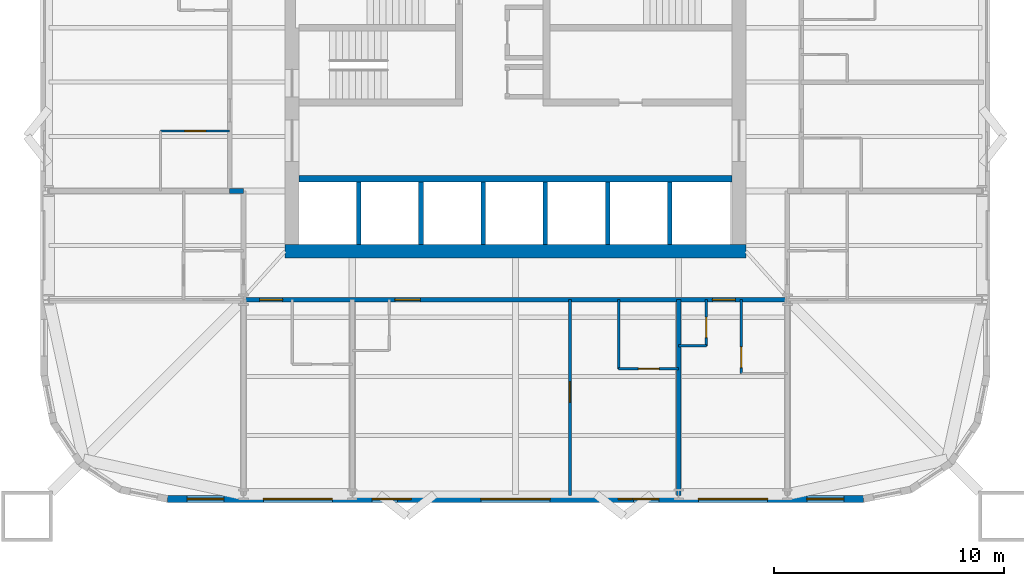
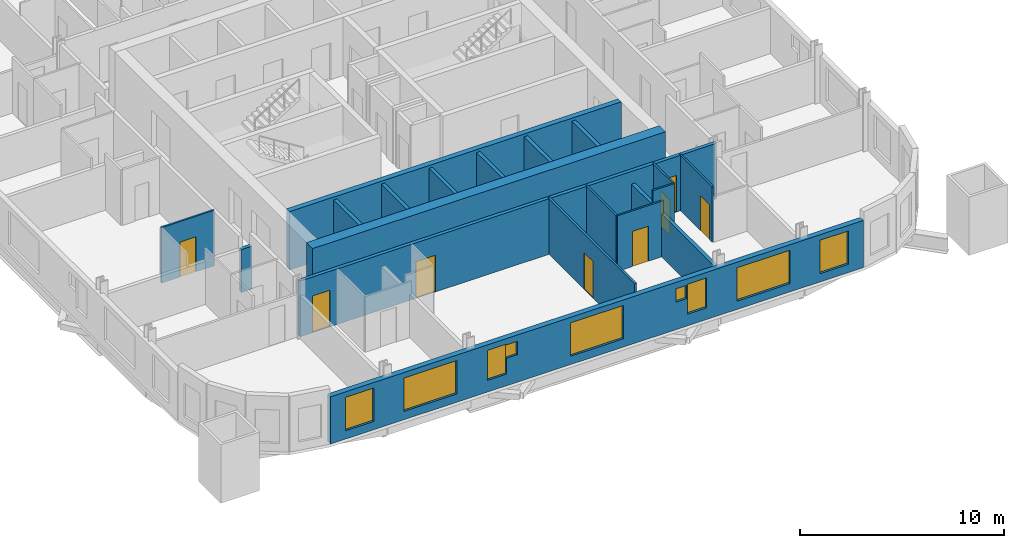
# One storey, part 3 of 9: 19 walls, 9 windows, 8 doors, 17 openings.
"""IFC4 building model written with IfcOpenShell, lengths in metres."""

from ifc_helpers import new_model, si_unit, direction, frame, frame_2d, origin, place, context, subcontext, project, spatial, rectangle, extrude, material, layer, layer_set, type_object, element, fill, save


model = new_model("IFC4")

# Units and contexts
model_context = context("Model", 3, precision=1e-05, world=origin(), true_north=direction((0.0, 1.0)))
body_context = subcontext(model_context, "Body", "Model", "MODEL_VIEW")
ifc_project = project(units=[si_unit("LENGTHUNIT", "METRE"), si_unit("AREAUNIT", "SQUARE_METRE"), si_unit("VOLUMEUNIT", "CUBIC_METRE"), si_unit("PLANEANGLEUNIT", "RADIAN"), si_unit("MASSUNIT", "GRAM", prefix="KILO")], contexts=[model_context])

# Site, building, storey
site_placement = place(None, origin())
site = spatial("IfcSite", under=ifc_project, at=site_placement, CompositionType="ELEMENT")
building_placement = place(site_placement, origin())
building = spatial("IfcBuilding", under=site, at=building_placement, Name="Turquesa Mirador Hotel Tower", CompositionType="ELEMENT")
storey_placement = place(building_placement, frame((0.0, 0.0, 117.89990234375)))
storey = spatial("IfcBuildingStorey", under=building, at=storey_placement, Name="L31", CompositionType="ELEMENT", Elevation=117.89990234375)

# Wall
ifc_material_1 = material(Name="Gypsum board on steel studs", Category="steel")
ifc_layer_1 = layer(ifc_material_1, 0.10009765625)
ifc_layer_set_1 = layer_set([ifc_layer_1], Name="BATHROOM WALL 100")
wall_type_1 = type_object("IfcWallType", Name="BATHROOM WALL 100", PredefinedType="PARTITIONING", material=ifc_layer_set_1)
wall_1_placement = place(storey_placement, frame((62.080078125, 31.199951171875, 0.0), z_axis=(0.0, 0.0, 1.0), x_axis=(1.0, 0.0, 0.0)))
element("IfcWall", 1, at=wall_1_placement, inside=storey, type_object=wall_type_1, Name="Partition L31 005", PredefinedType="PARTITIONING", context=body_context, shape_type="SweptSolid", body=[
    extrude(rectangle(XDim=1.199951171875, YDim=0.10009765625, at=frame_2d((0.60009765625, 0.0))), origin(), (0.0, 0.0, 1.0), 3.330078125),
])

# Wall, opening, door
wall_2_placement = place(storey_placement, frame((59.47998046875, 30.199951171875, 0.0), z_axis=(0.0, 0.0, 1.0), x_axis=(1.0, 0.0, 0.0)))
wall_2 = element("IfcWall", 2, at=wall_2_placement, inside=storey, type_object=wall_type_1, Name="Partition L31 008", PredefinedType="PARTITIONING", context=body_context, shape_type="SweptSolid", body=[
    extrude(rectangle(XDim=2.60009765625, YDim=0.10009765625, at=frame_2d((1.300048828125, 0.0))), origin(), (0.0, 0.0, 1.0), 3.330078125),
])
opening_1_placement = place(wall_2_placement, frame((0.85009765625, 0.0, 0.0)))
opening_1 = element("IfcOpeningElement", 3, at=opening_1_placement, cuts=wall_2, Name="Opening D02", PredefinedType="OPENING", context=body_context, shape_type="SweptSolid", body=[
    extrude(rectangle(XDim=0.89990234375, YDim=2.10009765625, at=frame_2d((0.449951171875, 1.050048828125))), frame((0.0, 0.06005859375, 0.0), z_axis=(0.0, -1.0, 0.0), x_axis=(1.0, 0.0, 0.0)), (0.0, 0.0, 1.0), 0.1201171875),
])
ifc_material_2 = material(Name="Timber veneered door", Category="wood")
door_type_1 = type_object("IfcDoorType", Name="DOOR 900X2100 EN-SUITE", OperationType="SINGLE_SWING_RIGHT", PredefinedType="DOOR", material=ifc_material_2)
door_1_placement = place(opening_1_placement, origin())
door_1 = element("IfcDoor", 4, at=door_1_placement, inside=storey, type_object=door_type_1, Name="Door 3106B", OperationType="SINGLE_SWING_RIGHT", OverallHeight=2.10009765625, OverallWidth=0.89990234375, PredefinedType="DOOR", context=body_context, shape_type="SweptSolid", body=[
    extrude(rectangle(XDim=0.89990234375, YDim=2.10009765625, at=frame_2d((0.449951171875, 1.050048828125))), frame((0.0, 0.02490234375, 0.0), z_axis=(0.0, -1.0, 0.0), x_axis=(1.0, 0.0, 0.0)), (0.0, 0.0, 1.0), 0.050048828125),
])
fill(opening_1, door_1)

wall_3_placement = place(storey_placement, frame((39.60009765625, 40.52001953125, 0.0), z_axis=(0.0, 0.0, 1.0), x_axis=(1.0, 0.0, 0.0)))
wall_3 = element("IfcWall", 5, at=wall_3_placement, inside=storey, type_object=wall_type_1, Name="Partition L31 011", PredefinedType="PARTITIONING", context=body_context, shape_type="SweptSolid", body=[
    extrude(rectangle(XDim=3.0, YDim=0.10009765625, at=frame_2d((1.5, 0.0))), origin(), (0.0, 0.0, 1.0), 3.330078125),
])
opening_2_placement = place(wall_3_placement, frame((1.050048828125, 0.0, 0.0)))
opening_2 = element("IfcOpeningElement", 6, at=opening_2_placement, cuts=wall_3, Name="Opening D02", PredefinedType="OPENING", context=body_context, shape_type="SweptSolid", body=[
    extrude(rectangle(XDim=0.89990234375, YDim=2.10009765625, at=frame_2d((0.449951171875, 1.050048828125))), frame((0.0, 0.06005859375, 0.0), z_axis=(0.0, -1.0, 0.0), x_axis=(1.0, 0.0, 0.0)), (0.0, 0.0, 1.0), 0.1201171875),
])
door_2_placement = place(opening_2_placement, origin())
door_2 = element("IfcDoor", 7, at=door_2_placement, inside=storey, type_object=door_type_1, Name="Door 3111B", OperationType="SINGLE_SWING_RIGHT", OverallHeight=2.10009765625, OverallWidth=0.89990234375, PredefinedType="DOOR", context=body_context, shape_type="SweptSolid", body=[
    extrude(rectangle(XDim=0.89990234375, YDim=2.10009765625, at=frame_2d((0.449951171875, 1.050048828125))), frame((0.0, 0.02490234375, 0.0), z_axis=(0.0, -1.0, 0.0), x_axis=(1.0, 0.0, 0.0)), (0.0, 0.0, 1.0), 0.050048828125),
])
fill(opening_2, door_2)

# Wall
wall_4_placement = place(storey_placement, frame((59.47998046875, 30.199951171875, 0.0), z_axis=(0.0, 0.0, 1.0), x_axis=(0.0, 1.0, 0.0)))
element("IfcWall", 8, at=wall_4_placement, inside=storey, type_object=wall_type_1, Name="Partition L31 080", PredefinedType="PARTITIONING", context=body_context, shape_type="SweptSolid", body=[
    extrude(rectangle(XDim=3.0, YDim=0.10009765625, at=frame_2d((1.5, 0.0))), origin(), (0.0, 0.0, 1.0), 3.330078125),
])

# Wall, opening, door
wall_5_placement = place(storey_placement, frame((63.280029296875, 31.199951171875, 0.0), z_axis=(0.0, 0.0, 1.0), x_axis=(0.0, 1.0, 0.0)))
wall_5 = element("IfcWall", 9, at=wall_5_placement, inside=storey, type_object=wall_type_1, Name="Partition L31 083", PredefinedType="PARTITIONING", context=body_context, shape_type="SweptSolid", body=[
    extrude(rectangle(XDim=2.0, YDim=0.10009765625, at=frame_2d((1.0, 0.0))), origin(), (0.0, 0.0, 1.0), 3.330078125),
])
opening_3_placement = place(wall_5_placement, frame((0.35009765625, 0.0, 0.0)))
opening_3 = element("IfcOpeningElement", 10, at=opening_3_placement, cuts=wall_5, Name="Opening D06", PredefinedType="OPENING", context=body_context, shape_type="SweptSolid", body=[
    extrude(rectangle(XDim=0.89990234375, YDim=2.10009765625, at=frame_2d((0.449951171875, 1.050048828125))), frame((0.0, 0.06005859375, 0.0), z_axis=(0.0, -1.0, 0.0), x_axis=(1.0, 0.0, 0.0)), (0.0, 0.0, 1.0), 0.1201171875),
])
ifc_material_3 = material(Name="Laminate door", Category="wood")
door_type_2 = type_object("IfcDoorType", Name="DOOR 900X2100 WC", OperationType="SINGLE_SWING_LEFT", PredefinedType="DOOR", material=ifc_material_3)
door_3_placement = place(opening_3_placement, origin())
door_3 = element("IfcDoor", 11, at=door_3_placement, inside=storey, type_object=door_type_2, Name="Door 3107W", OperationType="SINGLE_SWING_LEFT", OverallHeight=2.10009765625, OverallWidth=0.89990234375, PredefinedType="DOOR", context=body_context, shape_type="SweptSolid", body=[
    extrude(rectangle(XDim=0.89990234375, YDim=2.10009765625, at=frame_2d((0.449951171875, 1.050048828125))), frame((0.0, 0.02490234375, 0.0), z_axis=(0.0, -1.0, 0.0), x_axis=(1.0, 0.0, 0.0)), (0.0, 0.0, 1.0), 0.050048828125),
])
fill(opening_3, door_3)

wall_6_placement = place(storey_placement, frame((64.800048828125, 30.0, 0.0), z_axis=(0.0, 0.0, 1.0), x_axis=(0.0, 1.0, 0.0)))
wall_6 = element("IfcWall", 12, at=wall_6_placement, inside=storey, type_object=wall_type_1, Name="Partition L31 084", PredefinedType="PARTITIONING", context=body_context, shape_type="SweptSolid", body=[
    extrude(rectangle(XDim=3.199951171875, YDim=0.10009765625, at=frame_2d((1.60009765625, 0.0))), origin(), (0.0, 0.0, 1.0), 3.330078125),
])
opening_4_placement = place(wall_6_placement, frame((0.25, 0.0, 0.0)))
opening_4 = element("IfcOpeningElement", 13, at=opening_4_placement, cuts=wall_6, Name="Opening D02", PredefinedType="OPENING", context=body_context, shape_type="SweptSolid", body=[
    extrude(rectangle(XDim=0.89990234375, YDim=2.10009765625, at=frame_2d((0.449951171875, 1.050048828125))), frame((0.0, 0.06005859375, 0.0), z_axis=(0.0, -1.0, 0.0), x_axis=(1.0, 0.0, 0.0)), (0.0, 0.0, 1.0), 0.1201171875),
])
door_4_placement = place(opening_4_placement, origin())
door_4 = element("IfcDoor", 14, at=door_4_placement, inside=storey, type_object=door_type_1, Name="Door 3107B", OperationType="SINGLE_SWING_RIGHT", OverallHeight=2.10009765625, OverallWidth=0.89990234375, PredefinedType="DOOR", context=body_context, shape_type="SweptSolid", body=[
    extrude(rectangle(XDim=0.89990234375, YDim=2.10009765625, at=frame_2d((0.449951171875, 1.050048828125))), frame((0.0, 0.02490234375, 0.0), z_axis=(0.0, -1.0, 0.0), x_axis=(1.0, 0.0, 0.0)), (0.0, 0.0, 1.0), 0.050048828125),
])
fill(opening_4, door_4)

# Walls
ifc_material_4 = material(Name="Concrete C50/60", Category="concrete")
ifc_layer_2 = layer(ifc_material_4, 0.300048828125)
ifc_layer_set_2 = layer_set([ifc_layer_2], Name="CORE INNER WALL 300")
wall_type_2 = type_object("IfcWallType", Name="CORE INNER WALL 300", PredefinedType="SHEAR", material=ifc_layer_set_2)
wall_7_placement = place(storey_placement, frame((45.60009765625, 38.449951171875, 0.0), z_axis=(0.0, 0.0, 1.0), x_axis=(1.0, 0.0, 0.0)))
element("IfcWall", 15, at=wall_7_placement, inside=storey, type_object=wall_type_2, Name="Core wall SL", PredefinedType="SHEAR", context=body_context, shape_type="SweptSolid", body=[
    extrude(rectangle(XDim=18.7998046875, YDim=0.300048828125, at=frame_2d((9.39990234375, 0.0))), origin(), (0.0, 0.0, 1.0), 3.5),
])
ifc_material_5 = material(Name="Concrete C50/60", Category="concrete")
ifc_layer_3 = layer(ifc_material_5, 0.60009765625)
ifc_layer_set_3 = layer_set([ifc_layer_3], Name="CORE WALL 600")
wall_type_3 = type_object("IfcWallType", Name="CORE WALL 600", PredefinedType="SHEAR", material=ifc_layer_set_3)
wall_8_placement = place(storey_placement, frame((45.0, 35.300048828125, 0.0), z_axis=(0.0, 0.0, 1.0), x_axis=(1.0, 0.0, 0.0)))
element("IfcWall", 16, at=wall_8_placement, inside=storey, type_object=wall_type_3, Name="Core wall S", PredefinedType="SHEAR", context=body_context, shape_type="SweptSolid", body=[
    extrude(rectangle(XDim=20.0, YDim=0.60009765625, at=frame_2d((10.0, 0.0))), origin(), (0.0, 0.0, 1.0), 3.5),
])

# Wall, openings, doors
ifc_material_6 = material(Name="Fire-rated gypsum board on steel studs", Category="steel")
ifc_layer_4 = layer(ifc_material_6, 0.199951171875)
ifc_layer_set_4 = layer_set([ifc_layer_4], Name="CORRIDOR WALL 200")
wall_type_4 = type_object("IfcWallType", Name="CORRIDOR WALL 200", PredefinedType="PARTITIONING", material=ifc_layer_set_4)
wall_9_placement = place(storey_placement, frame((43.199951171875, 33.199951171875, 0.0), z_axis=(0.0, 0.0, 1.0), x_axis=(1.0, 0.0, 0.0)))
wall_9 = element("IfcWall", 17, at=wall_9_placement, inside=storey, type_object=wall_type_4, Name="Partition L31 002", PredefinedType="PARTITIONING", context=body_context, shape_type="SweptSolid", body=[
    extrude(rectangle(XDim=23.60009765625, YDim=0.199951171875, at=frame_2d((11.800048828125, 0.0))), origin(), (0.0, 0.0, 1.0), 3.330078125),
])
opening_5_placement = place(wall_9_placement, frame((0.699951171875, 0.0, 0.0)))
opening_5 = element("IfcOpeningElement", 18, at=opening_5_placement, cuts=wall_9, Name="Opening D01", PredefinedType="OPENING", context=body_context, shape_type="SweptSolid", body=[
    extrude(rectangle(XDim=1.0, YDim=2.199951171875, at=frame_2d((0.5, 1.10009765625))), frame((0.0, 0.10986328125, 0.0), z_axis=(0.0, -1.0, 0.0), x_axis=(1.0, 0.0, 0.0)), (0.0, 0.0, 1.0), 0.219970703125),
])
opening_6_placement = place(wall_9_placement, frame((6.570068359375, 0.0, 0.0)))
opening_6 = element("IfcOpeningElement", 19, at=opening_6_placement, cuts=wall_9, Name="Opening D15", PredefinedType="OPENING", context=body_context, shape_type="SweptSolid", body=[
    extrude(rectangle(XDim=1.10009765625, YDim=2.199951171875, at=frame_2d((0.550048828125, 1.10009765625))), frame((0.0, 0.10986328125, 0.0), z_axis=(0.0, -1.0, 0.0), x_axis=(1.0, 0.0, 0.0)), (0.0, 0.0, 1.0), 0.219970703125),
])
opening_7_placement = place(wall_9_placement, frame((20.340087890625, 0.0, 0.0)))
opening_7 = element("IfcOpeningElement", 20, at=opening_7_placement, cuts=wall_9, Name="Opening D01", PredefinedType="OPENING", context=body_context, shape_type="SweptSolid", body=[
    extrude(rectangle(XDim=1.0, YDim=2.199951171875, at=frame_2d((0.5, 1.10009765625))), frame((0.0, 0.10986328125, 0.0), z_axis=(0.0, -1.0, 0.0), x_axis=(1.0, 0.0, 0.0)), (0.0, 0.0, 1.0), 0.219970703125),
])
ifc_material_7 = material(Name="Timber veneered fire door", Category="wood")
door_type_3 = type_object("IfcDoorType", Name="DOOR 1000X2200 GUEST ENTRY", OperationType="SINGLE_SWING_LEFT", PredefinedType="DOOR", material=ifc_material_7)
door_5_placement = place(opening_5_placement, origin())
door_5 = element("IfcDoor", 21, at=door_5_placement, inside=storey, type_object=door_type_3, Name="Door 3105", OperationType="SINGLE_SWING_LEFT", OverallHeight=2.199951171875, OverallWidth=1.0, PredefinedType="DOOR", context=body_context, shape_type="SweptSolid", body=[
    extrude(rectangle(XDim=1.0, YDim=2.199951171875, at=frame_2d((0.5, 1.10009765625))), frame((0.0, 0.02490234375, 0.0), z_axis=(0.0, -1.0, 0.0), x_axis=(1.0, 0.0, 0.0)), (0.0, 0.0, 1.0), 0.050048828125),
])
fill(opening_5, door_5)
door_6_placement = place(opening_7_placement, origin())
door_6 = element("IfcDoor", 22, at=door_6_placement, inside=storey, type_object=door_type_3, Name="Door 3107", OperationType="SINGLE_SWING_LEFT", OverallHeight=2.199951171875, OverallWidth=1.0, PredefinedType="DOOR", context=body_context, shape_type="SweptSolid", body=[
    extrude(rectangle(XDim=1.0, YDim=2.199951171875, at=frame_2d((0.5, 1.10009765625))), frame((0.0, 0.02490234375, 0.0), z_axis=(0.0, -1.0, 0.0), x_axis=(1.0, 0.0, 0.0)), (0.0, 0.0, 1.0), 0.050048828125),
])
fill(opening_7, door_6)
ifc_material_8 = material(Name="Timber veneered fire door", Category="wood")
door_type_4 = type_object("IfcDoorType", Name="DOOR 1100X2200 SUITE ENTRY", OperationType="SINGLE_SWING_LEFT", PredefinedType="DOOR", material=ifc_material_8)
door_7_placement = place(opening_6_placement, origin())
door_7 = element("IfcDoor", 23, at=door_7_placement, inside=storey, type_object=door_type_4, Name="Door 3106", OperationType="SINGLE_SWING_LEFT", OverallHeight=2.199951171875, OverallWidth=1.10009765625, PredefinedType="DOOR", context=body_context, shape_type="SweptSolid", body=[
    extrude(rectangle(XDim=1.10009765625, YDim=2.199951171875, at=frame_2d((0.550048828125, 1.10009765625))), frame((0.0, 0.02490234375, 0.0), z_axis=(0.0, -1.0, 0.0), x_axis=(1.0, 0.0, 0.0)), (0.0, 0.0, 1.0), 0.050048828125),
])
fill(opening_6, door_7)

# Wall
wall_10_placement = place(storey_placement, frame((42.60009765625, 37.919921875, 0.0), z_axis=(0.0, 0.0, 1.0), x_axis=(1.0, 0.0, 0.0)))
element("IfcWall", 24, at=wall_10_placement, inside=storey, type_object=wall_type_4, Name="Partition L31 013", PredefinedType="PARTITIONING", context=body_context, shape_type="SweptSolid", body=[
    extrude(rectangle(XDim=0.599853515625, YDim=0.199951171875, at=frame_2d((0.2998046875, 0.0))), origin(), (0.0, 0.0, 1.0), 2.5732421875),
])

# Wall, openings, windows
ifc_material_9 = material(Name="Limestone cladding on concrete block", Category="masonry")
ifc_layer_5 = layer(ifc_material_9, 0.300048828125)
ifc_layer_set_5 = layer_set([ifc_layer_5], Name="FACADE WALL 300 STONE SCREEN")
wall_type_5 = type_object("IfcWallType", Name="FACADE WALL 300 STONE SCREEN", PredefinedType="SOLIDWALL", material=ifc_layer_set_5)
wall_11_placement = place(storey_placement, frame((39.89990234375, 24.550048828125, 0.0), z_axis=(0.0, 0.0, 1.0), x_axis=(1.0, 0.0, 0.0)))
wall_11 = element("IfcWall", 25, at=wall_11_placement, inside=storey, type_object=wall_type_5, Name="Facade wall L31 19", PredefinedType="SOLIDWALL", context=body_context, shape_type="SweptSolid", body=[
    extrude(rectangle(XDim=30.2001953125, YDim=0.300048828125, at=frame_2d((15.10009765625, 0.0))), origin(), (0.0, 0.0, 1.0), 2.830078125),
])
opening_8_placement = place(wall_11_placement, frame((0.85009765625, 0.0, 0.5)))
opening_8 = element("IfcOpeningElement", 26, at=opening_8_placement, cuts=wall_11, Name="Opening WN3", PredefinedType="OPENING", context=body_context, shape_type="SweptSolid", body=[
    extrude(rectangle(XDim=1.60009765625, YDim=2.0, at=frame_2d((0.800048828125, 1.0))), frame((0.0, 0.159912109375, 0.0), z_axis=(0.0, -1.0, 0.0), x_axis=(1.0, 0.0, 0.0)), (0.0, 0.0, 1.0), 0.320068359375),
])
opening_9_placement = place(wall_11_placement, frame((4.159912109375, 0.0, 0.5)))
opening_9 = element("IfcOpeningElement", 27, at=opening_9_placement, cuts=wall_11, Name="Opening WN1", PredefinedType="OPENING", context=body_context, shape_type="SweptSolid", body=[
    extrude(rectangle(XDim=3.0, YDim=2.0, at=frame_2d((1.5, 1.0))), frame((0.0, 0.159912109375, 0.0), z_axis=(0.0, -1.0, 0.0), x_axis=(1.0, 0.0, 0.0)), (0.0, 0.0, 1.0), 0.320068359375),
])
opening_10_placement = place(wall_11_placement, frame((8.8798828125, 0.0, 0.699951171875)))
opening_10 = element("IfcOpeningElement", 28, at=opening_10_placement, cuts=wall_11, Name="Opening WN38", PredefinedType="OPENING", context=body_context, shape_type="SweptSolid", body=[
    extrude(rectangle(XDim=1.10009765625, YDim=1.800048828125, at=frame_2d((0.550048828125, 0.89990234375))), frame((0.0, 0.159912109375, 0.0), z_axis=(0.0, -1.0, 0.0), x_axis=(1.0, 0.0, 0.0)), (0.0, 0.0, 1.0), 0.320068359375),
])
opening_11_placement = place(wall_11_placement, frame((13.60009765625, 0.0, 0.5)))
opening_11 = element("IfcOpeningElement", 29, at=opening_11_placement, cuts=wall_11, Name="Opening WN1", PredefinedType="OPENING", context=body_context, shape_type="SweptSolid", body=[
    extrude(rectangle(XDim=3.0, YDim=2.0, at=frame_2d((1.5, 1.0))), frame((0.0, 0.159912109375, 0.0), z_axis=(0.0, -1.0, 0.0), x_axis=(1.0, 0.0, 0.0)), (0.0, 0.0, 1.0), 0.320068359375),
])
opening_12_placement = place(wall_11_placement, frame((20.219970703125, 0.0, 0.699951171875)))
opening_12 = element("IfcOpeningElement", 30, at=opening_12_placement, cuts=wall_11, Name="Opening WN38", PredefinedType="OPENING", context=body_context, shape_type="SweptSolid", body=[
    extrude(rectangle(XDim=1.10009765625, YDim=1.800048828125, at=frame_2d((0.550048828125, 0.89990234375))), frame((0.0, 0.159912109375, 0.0), z_axis=(0.0, -1.0, 0.0), x_axis=(1.0, 0.0, 0.0)), (0.0, 0.0, 1.0), 0.320068359375),
])
opening_13_placement = place(wall_11_placement, frame((23.0400390625, 0.0, 0.5)))
opening_13 = element("IfcOpeningElement", 31, at=opening_13_placement, cuts=wall_11, Name="Opening WN1", PredefinedType="OPENING", context=body_context, shape_type="SweptSolid", body=[
    extrude(rectangle(XDim=3.0, YDim=2.0, at=frame_2d((1.5, 1.0))), frame((0.0, 0.159912109375, 0.0), z_axis=(0.0, -1.0, 0.0), x_axis=(1.0, 0.0, 0.0)), (0.0, 0.0, 1.0), 0.320068359375),
])
opening_14_placement = place(wall_11_placement, frame((27.75, 0.0, 0.5)))
opening_14 = element("IfcOpeningElement", 32, at=opening_14_placement, cuts=wall_11, Name="Opening WN3", PredefinedType="OPENING", context=body_context, shape_type="SweptSolid", body=[
    extrude(rectangle(XDim=1.60009765625, YDim=2.0, at=frame_2d((0.800048828125, 1.0))), frame((0.0, 0.159912109375, 0.0), z_axis=(0.0, -1.0, 0.0), x_axis=(1.0, 0.0, 0.0)), (0.0, 0.0, 1.0), 0.320068359375),
])
opening_15_placement = place(wall_11_placement, frame((9.97998046875, 0.0, 1.64990234375)))
opening_15 = element("IfcOpeningElement", 33, at=opening_15_placement, cuts=wall_11, Name="Opening WN28", PredefinedType="OPENING", context=body_context, shape_type="SweptSolid", body=[
    extrude(rectangle(XDim=0.60009765625, YDim=0.800048828125, at=frame_2d((0.300048828125, 0.39990234375))), frame((0.0, 0.159912109375, 0.0), z_axis=(0.0, -1.0, 0.0), x_axis=(1.0, 0.0, 0.0)), (0.0, 0.0, 1.0), 0.320068359375),
])
opening_16_placement = place(wall_11_placement, frame((19.570068359375, 0.0, 1.64990234375)))
opening_16 = element("IfcOpeningElement", 34, at=opening_16_placement, cuts=wall_11, Name="Opening WN28", PredefinedType="OPENING", context=body_context, shape_type="SweptSolid", body=[
    extrude(rectangle(XDim=0.60009765625, YDim=0.800048828125, at=frame_2d((0.300048828125, 0.39990234375))), frame((0.0, 0.159912109375, 0.0), z_axis=(0.0, -1.0, 0.0), x_axis=(1.0, 0.0, 0.0)), (0.0, 0.0, 1.0), 0.320068359375),
])
ifc_material_10 = material(Name="Ceramic-fritted laminated glass", Category="glass")
window_type_1 = type_object("IfcWindowType", Name="FRITTED WINDOW 1100X1800", PartitioningType="DOUBLE_PANEL_HORIZONTAL", PredefinedType="WINDOW", material=ifc_material_10)
window_1_placement = place(opening_10_placement, origin())
window_1 = element("IfcWindow", 35, at=window_1_placement, inside=storey, type_object=window_type_1, Name="Window L31", OverallHeight=1.800048828125, OverallWidth=1.10009765625, PartitioningType="SINGLE_PANEL", PredefinedType="WINDOW", context=body_context, shape_type="SweptSolid", body=[
    extrude(rectangle(XDim=1.10009765625, YDim=1.800048828125, at=frame_2d((0.550048828125, 0.89990234375))), frame((0.0, 0.030029296875, 0.0), z_axis=(0.0, -1.0, 0.0), x_axis=(1.0, 0.0, 0.0)), (0.0, 0.0, 1.0), 0.06005859375),
])
fill(opening_10, window_1)
window_2_placement = place(opening_12_placement, origin())
window_2 = element("IfcWindow", 36, at=window_2_placement, inside=storey, type_object=window_type_1, Name="Window L31", OverallHeight=1.800048828125, OverallWidth=1.10009765625, PartitioningType="SINGLE_PANEL", PredefinedType="WINDOW", context=body_context, shape_type="SweptSolid", body=[
    extrude(rectangle(XDim=1.10009765625, YDim=1.800048828125, at=frame_2d((0.550048828125, 0.89990234375))), frame((0.0, 0.030029296875, 0.0), z_axis=(0.0, -1.0, 0.0), x_axis=(1.0, 0.0, 0.0)), (0.0, 0.0, 1.0), 0.06005859375),
])
fill(opening_12, window_2)
ifc_material_11 = material(Name="Ceramic-fritted laminated glass", Category="glass")
window_type_2 = type_object("IfcWindowType", Name="FRITTED WINDOW 1600X2000", PartitioningType="DOUBLE_PANEL_HORIZONTAL", PredefinedType="WINDOW", material=ifc_material_11)
window_3_placement = place(opening_8_placement, origin())
window_3 = element("IfcWindow", 37, at=window_3_placement, inside=storey, type_object=window_type_2, Name="Window L31", OverallHeight=2.0, OverallWidth=1.60009765625, PartitioningType="SINGLE_PANEL", PredefinedType="WINDOW", context=body_context, shape_type="SweptSolid", body=[
    extrude(rectangle(XDim=1.60009765625, YDim=2.0, at=frame_2d((0.800048828125, 1.0))), frame((0.0, 0.030029296875, 0.0), z_axis=(0.0, -1.0, 0.0), x_axis=(1.0, 0.0, 0.0)), (0.0, 0.0, 1.0), 0.06005859375),
])
fill(opening_8, window_3)
window_4_placement = place(opening_14_placement, origin())
window_4 = element("IfcWindow", 38, at=window_4_placement, inside=storey, type_object=window_type_2, Name="Window L31", OverallHeight=2.0, OverallWidth=1.60009765625, PartitioningType="SINGLE_PANEL", PredefinedType="WINDOW", context=body_context, shape_type="SweptSolid", body=[
    extrude(rectangle(XDim=1.60009765625, YDim=2.0, at=frame_2d((0.800048828125, 1.0))), frame((0.0, 0.030029296875, 0.0), z_axis=(0.0, -1.0, 0.0), x_axis=(1.0, 0.0, 0.0)), (0.0, 0.0, 1.0), 0.06005859375),
])
fill(opening_14, window_4)
ifc_material_12 = material(Name="Ceramic-fritted laminated glass", Category="glass")
window_type_3 = type_object("IfcWindowType", Name="FRITTED WINDOW 3000X2000", PartitioningType="DOUBLE_PANEL_HORIZONTAL", PredefinedType="WINDOW", material=ifc_material_12)
window_5_placement = place(opening_9_placement, origin())
window_5 = element("IfcWindow", 39, at=window_5_placement, inside=storey, type_object=window_type_3, Name="Window L31", OverallHeight=2.0, OverallWidth=3.0, PartitioningType="SINGLE_PANEL", PredefinedType="WINDOW", context=body_context, shape_type="SweptSolid", body=[
    extrude(rectangle(XDim=3.0, YDim=2.0, at=frame_2d((1.5, 1.0))), frame((0.0, 0.030029296875, 0.0), z_axis=(0.0, -1.0, 0.0), x_axis=(1.0, 0.0, 0.0)), (0.0, 0.0, 1.0), 0.06005859375),
])
fill(opening_9, window_5)
window_6_placement = place(opening_11_placement, origin())
window_6 = element("IfcWindow", 40, at=window_6_placement, inside=storey, type_object=window_type_3, Name="Window L31", OverallHeight=2.0, OverallWidth=3.0, PartitioningType="SINGLE_PANEL", PredefinedType="WINDOW", context=body_context, shape_type="SweptSolid", body=[
    extrude(rectangle(XDim=3.0, YDim=2.0, at=frame_2d((1.5, 1.0))), frame((0.0, 0.030029296875, 0.0), z_axis=(0.0, -1.0, 0.0), x_axis=(1.0, 0.0, 0.0)), (0.0, 0.0, 1.0), 0.06005859375),
])
fill(opening_11, window_6)
window_7_placement = place(opening_13_placement, origin())
window_7 = element("IfcWindow", 41, at=window_7_placement, inside=storey, type_object=window_type_3, Name="Window L31", OverallHeight=2.0, OverallWidth=3.0, PartitioningType="SINGLE_PANEL", PredefinedType="WINDOW", context=body_context, shape_type="SweptSolid", body=[
    extrude(rectangle(XDim=3.0, YDim=2.0, at=frame_2d((1.5, 1.0))), frame((0.0, 0.030029296875, 0.0), z_axis=(0.0, -1.0, 0.0), x_axis=(1.0, 0.0, 0.0)), (0.0, 0.0, 1.0), 0.06005859375),
])
fill(opening_13, window_7)
ifc_material_13 = material(Name="Ceramic-fritted laminated glass", Category="glass")
window_type_4 = type_object("IfcWindowType", Name="FRITTED WINDOW 600X800", PartitioningType="DOUBLE_PANEL_HORIZONTAL", PredefinedType="WINDOW", material=ifc_material_13)
window_8_placement = place(opening_15_placement, origin())
window_8 = element("IfcWindow", 42, at=window_8_placement, inside=storey, type_object=window_type_4, Name="Window L31", OverallHeight=0.800048828125, OverallWidth=0.60009765625, PartitioningType="SINGLE_PANEL", PredefinedType="WINDOW", context=body_context, shape_type="SweptSolid", body=[
    extrude(rectangle(XDim=0.60009765625, YDim=0.800048828125, at=frame_2d((0.300048828125, 0.39990234375))), frame((0.0, 0.030029296875, 0.0), z_axis=(0.0, -1.0, 0.0), x_axis=(1.0, 0.0, 0.0)), (0.0, 0.0, 1.0), 0.06005859375),
])
fill(opening_15, window_8)
window_9_placement = place(opening_16_placement, origin())
window_9 = element("IfcWindow", 43, at=window_9_placement, inside=storey, type_object=window_type_4, Name="Window L31", OverallHeight=0.800048828125, OverallWidth=0.60009765625, PartitioningType="SINGLE_PANEL", PredefinedType="WINDOW", context=body_context, shape_type="SweptSolid", body=[
    extrude(rectangle(XDim=0.60009765625, YDim=0.800048828125, at=frame_2d((0.300048828125, 0.39990234375))), frame((0.0, 0.030029296875, 0.0), z_axis=(0.0, -1.0, 0.0), x_axis=(1.0, 0.0, 0.0)), (0.0, 0.0, 1.0), 0.06005859375),
])
fill(opening_16, window_9)

# Walls
ifc_material_14 = material(Name="Fire-rated gypsum shaft wall on steel studs", Category="steel")
ifc_layer_6 = layer(ifc_material_14, 0.199951171875)
ifc_layer_set_6 = layer_set([ifc_layer_6], Name="LIFT SHAFT DIVIDER 200")
wall_type_6 = type_object("IfcWallType", Name="LIFT SHAFT DIVIDER 200", PredefinedType="PARTITIONING", material=ifc_layer_set_6)
for number, where, z_axis, x_axis, name in (
    (44, (48.199951171875, 35.60009765625, 0.0), (0.0, 0.0, 1.0), (0.0, 1.0, 0.0), "Lift shaft divider"),
    (45, (50.89990234375, 35.60009765625, 0.0), (0.0, 0.0, 1.0), (0.0, 1.0, 0.0), "Lift shaft divider"),
    (46, (53.60009765625, 35.60009765625, 0.0), (0.0, 0.0, 1.0), (0.0, 1.0, 0.0), "Lift shaft divider"),
    (47, (56.300048828125, 35.60009765625, 0.0), (0.0, 0.0, 1.0), (0.0, 1.0, 0.0), "Lift shaft divider"),
    (48, (59.0, 35.60009765625, 0.0), (0.0, 0.0, 1.0), (0.0, 1.0, 0.0), "Lift shaft divider"),
    (49, (61.699951171875, 35.60009765625, 0.0), (0.0, 0.0, 1.0), (0.0, 1.0, 0.0), "Lift shaft divider"),
):
    element("IfcWall", number, at=place(storey_placement, frame(where, z_axis=z_axis, x_axis=x_axis)), inside=storey, type_object=wall_type_6, Name=name, PredefinedType="PARTITIONING", context=body_context, shape_type="SweptSolid", body=[
        extrude(rectangle(XDim=2.699951171875, YDim=0.199951171875, at=frame_2d((1.35009765625, 0.0))), origin(), (0.0, 0.0, 1.0), 3.330078125),
    ])
ifc_material_15 = material(Name="Fire-rated gypsum board on steel studs", Category="steel")
ifc_layer_7 = layer(ifc_material_15, 0.199951171875)
ifc_layer_set_7 = layer_set([ifc_layer_7], Name="PARTY WALL 200")
wall_type_7 = type_object("IfcWallType", Name="PARTY WALL 200", PredefinedType="PARTITIONING", material=ifc_layer_set_7)
wall_12_placement = place(storey_placement, frame((62.080078125, 24.699951171875, 0.0), z_axis=(0.0, 0.0, 1.0), x_axis=(0.0, 1.0, 0.0)))
element("IfcWall", 50, at=wall_12_placement, inside=storey, type_object=wall_type_7, Name="Partition L31 082", PredefinedType="PARTITIONING", context=body_context, shape_type="SweptSolid", body=[
    extrude(rectangle(XDim=8.5, YDim=0.199951171875, at=frame_2d((4.25, 0.0))), origin(), (0.0, 0.0, 1.0), 2.5732421875),
])

# Wall, opening, door
ifc_material_16 = material(Name="Acoustic gypsum board on steel studs", Category="steel")
ifc_layer_8 = layer(ifc_material_16, 0.125)
ifc_layer_set_8 = layer_set([ifc_layer_8], Name="SUITE PARTITION 125")
wall_type_8 = type_object("IfcWallType", Name="SUITE PARTITION 125", PredefinedType="PARTITIONING", material=ifc_layer_set_8)
wall_13_placement = place(storey_placement, frame((57.360107421875, 24.699951171875, 0.0), z_axis=(0.0, 0.0, 1.0), x_axis=(0.0, 1.0, 0.0)))
wall_13 = element("IfcWall", 51, at=wall_13_placement, inside=storey, type_object=wall_type_8, Name="Partition L31 079", PredefinedType="PARTITIONING", context=body_context, shape_type="SweptSolid", body=[
    extrude(rectangle(XDim=8.5, YDim=0.125, at=frame_2d((4.25, 0.0))), origin(), (0.0, 0.0, 1.0), 3.330078125),
])
opening_17_placement = place(wall_13_placement, frame((4.050048828125, 0.0, 0.0)))
opening_17 = element("IfcOpeningElement", 52, at=opening_17_placement, cuts=wall_13, Name="Opening D17", PredefinedType="OPENING", context=body_context, shape_type="SweptSolid", body=[
    extrude(rectangle(XDim=0.89990234375, YDim=2.199951171875, at=frame_2d((0.449951171875, 1.10009765625))), frame((0.0, 0.072509765625, 0.0), z_axis=(0.0, -1.0, 0.0), x_axis=(1.0, 0.0, 0.0)), (0.0, 0.0, 1.0), 0.14501953125),
])
ifc_material_17 = material(Name="Timber veneered door", Category="wood")
door_type_5 = type_object("IfcDoorType", Name="DOOR 900X2200 SUITE INTERNAL", OperationType="SINGLE_SWING_LEFT", PredefinedType="DOOR", material=ifc_material_17)
door_8_placement = place(opening_17_placement, origin())
door_8 = element("IfcDoor", 53, at=door_8_placement, inside=storey, type_object=door_type_5, Name="Door 3106R", OperationType="SINGLE_SWING_LEFT", OverallHeight=2.199951171875, OverallWidth=0.89990234375, PredefinedType="DOOR", context=body_context, shape_type="SweptSolid", body=[
    extrude(rectangle(XDim=0.89990234375, YDim=2.199951171875, at=frame_2d((0.449951171875, 1.10009765625))), frame((0.0, 0.02490234375, 0.0), z_axis=(0.0, -1.0, 0.0), x_axis=(1.0, 0.0, 0.0)), (0.0, 0.0, 1.0), 0.050048828125),
])
fill(opening_17, door_8)

save(model, "model.ifc")
